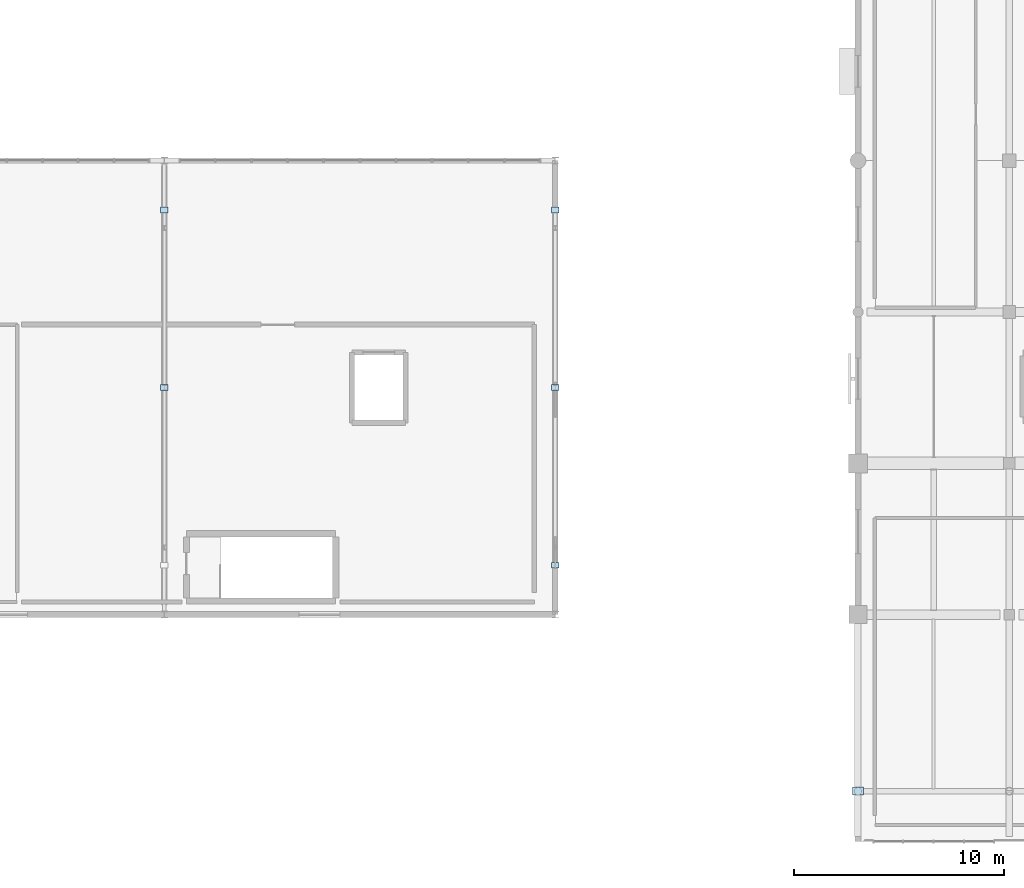
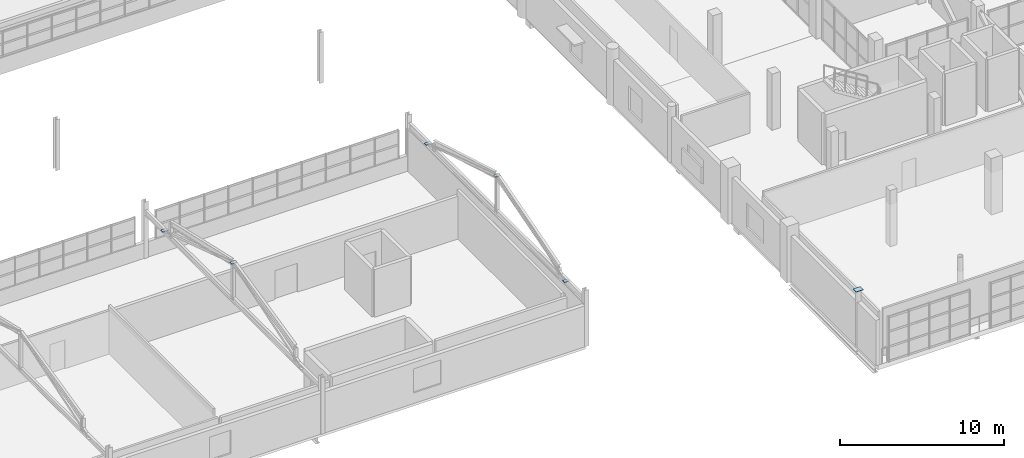
# One storey, part 55 of 90: 6 plates.
"""IFC4 building model written with IfcOpenShell, lengths in metres."""

from ifc_helpers import new_model, si_unit, direction, frame, origin, origin_2d, place, context, subcontext, project, spatial, rectangle, extrude, material, layer, layer_set, type_object, element, save


model = new_model("IFC4")

# Units and contexts
model_context = context("Model", 3, precision=1e-05, world=origin(), true_north=direction((0.0, 1.0)))
body_context = subcontext(model_context, "Body", "Model", "MODEL_VIEW")
ifc_project = project(units=[si_unit("LENGTHUNIT", "METRE"), si_unit("AREAUNIT", "SQUARE_METRE"), si_unit("VOLUMEUNIT", "CUBIC_METRE"), si_unit("PLANEANGLEUNIT", "RADIAN"), si_unit("MASSUNIT", "GRAM", prefix="KILO")], contexts=[model_context])

# Site, building, storey
site_placement = place(None, origin())
site = spatial("IfcSite", under=ifc_project, at=site_placement, CompositionType="ELEMENT")
building_placement = place(site_placement, origin())
building = spatial("IfcBuilding", under=site, at=building_placement, Name="Solanera Park Tramway Depot", CompositionType="ELEMENT")
storey_placement = place(building_placement, frame((0.0, 0.0, 9.0)))
storey = spatial("IfcBuildingStorey", under=building, at=storey_placement, Name="L02", CompositionType="ELEMENT", Elevation=9.0)

# Plates
ifc_material_1 = material(Name="Steel AS/NZS 3679.1 Grade 350", Category="steel")
ifc_layer_1 = layer(ifc_material_1, 0.01806640625)
ifc_layer_set_1 = layer_set([ifc_layer_1], Name="Steel AS/NZS 3679.1 Grade 350")
plate_type_1 = type_object("IfcPlateType", Name="Hollow End Cap and Base Plate 360x280x18", PredefinedType="USERDEFINED", material=ifc_layer_set_1)
for number, where, z_axis, x_axis, name in (
    (1, (75.0, 21.60009765625, 6.1240234375), (0.0, 0.0, 1.0), (1.0, 0.0, 0.0), "Hip Truss Web Sealed Cap Plate #1114"),
    (2, (75.0, 30.046630859375, 3.392822265625), (0.0, 0.0, 1.0), (1.0, 0.0, 0.0), "Hip Truss Web Sealed Cap Plate #1115"),
    (3, (93.60009765625, 13.1533203125, 3.3671875), (0.0, 0.0, 1.0), (1.0, 0.0, 0.0), "Hip Truss Web Sealed Cap Plate #1116"),
    (4, (93.60009765625, 21.60009765625, 6.0986328125), (0.0, 0.0, 1.0), (1.0, 0.0, 0.0), "Hip Truss Web Sealed Cap Plate #1117"),
    (5, (93.60009765625, 30.046630859375, 3.3671875), (0.0, 0.0, 1.0), (1.0, 0.0, 0.0), "Hip Truss Web Sealed Cap Plate #1118"),
):
    element("IfcPlate", number, at=place(storey_placement, frame(where, z_axis=z_axis, x_axis=x_axis)), inside=storey, type_object=plate_type_1, Name=name, ObjectType="BASE PLATE", PredefinedType="USERDEFINED", context=body_context, shape_type="SweptSolid", body=[
        extrude(rectangle(XDim=0.360107421875, YDim=0.280029296875, at=origin_2d()), origin(), (0.0, 0.0, 1.0), 0.01806640625),
    ])
ifc_material_2 = material(Name="Steel AS/NZS 3679.1 Grade 350", Category="steel")
ifc_layer_2 = layer(ifc_material_2, 0.02490234375)
ifc_layer_set_2 = layer_set([ifc_layer_2], Name="Steel AS/NZS 3679.1 Grade 350")
plate_type_2 = type_object("IfcPlateType", Name="Hollow End Cap and Base Plate 520x380x25", PredefinedType="USERDEFINED", material=ifc_layer_set_2)
plate_placement = place(storey_placement, frame((108.0, 2.39990234375, 4.196044921875), z_axis=(0.0, 0.0, 1.0), x_axis=(1.0, 0.0, 0.0)))
element("IfcPlate", 6, at=plate_placement, inside=storey, type_object=plate_type_2, Name="Hollow Column Sealed Cap Plate #0024", ObjectType="BASE PLATE", PredefinedType="USERDEFINED", context=body_context, shape_type="SweptSolid", body=[
    extrude(rectangle(XDim=0.52001953125, YDim=0.3798828125, at=origin_2d()), origin(), (0.0, 0.0, 1.0), 0.02490234375),
])

save(model, "model.ifc")
